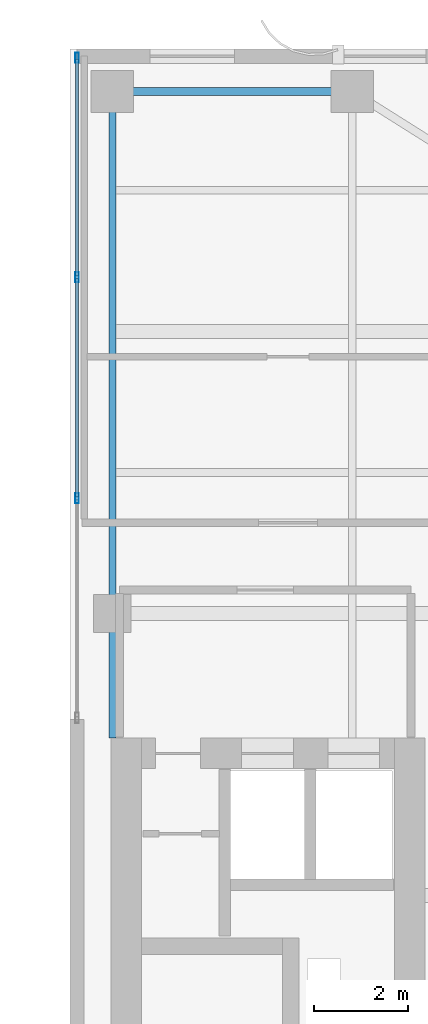
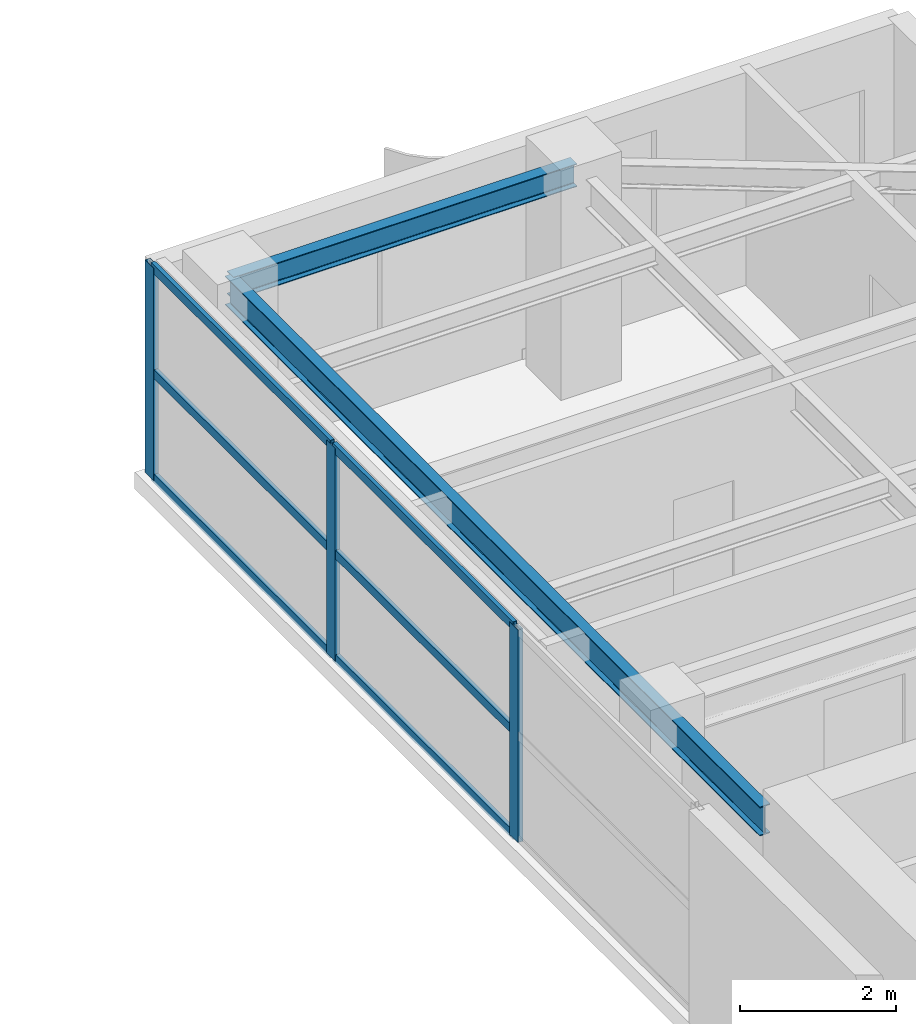
# One storey, part 14 of 22: 9 members, 2 beams, 1 element without a shape of its own.
"""IFC4 building model written with IfcOpenShell, lengths in metres."""

from ifc_helpers import new_model, si_unit, direction, frame, origin, origin_2d, place, context, subcontext, project, spatial, hollow_rectangle, i_section, extrude, source, transform, mapped, material, layer, layer_set, material_profile, profile_set, type_object, element, aggregate, save


model = new_model("IFC4")

# Units and contexts
model_context = context("Model", 3, precision=1e-05, world=origin(), true_north=direction((0.0, 1.0)))
body_context = subcontext(model_context, "Body", "Model", "MODEL_VIEW")
ifc_project = project(units=[si_unit("LENGTHUNIT", "METRE"), si_unit("AREAUNIT", "SQUARE_METRE"), si_unit("VOLUMEUNIT", "CUBIC_METRE"), si_unit("PLANEANGLEUNIT", "RADIAN"), si_unit("MASSUNIT", "GRAM", prefix="KILO")], contexts=[model_context])

# Site, building, storey
site_placement = place(None, origin())
site = spatial("IfcSite", under=ifc_project, at=site_placement, CompositionType="ELEMENT")
building_placement = place(site_placement, origin())
building = spatial("IfcBuilding", under=site, at=building_placement, Name="Khoralis Quay Care Tower", CompositionType="ELEMENT")
storey_placement = place(building_placement, frame((0.0, 0.0, 209.699951171875)))
storey = spatial("IfcBuildingStorey", under=building, at=storey_placement, Name="L55", CompositionType="ELEMENT", Elevation=209.699951171875)

# Beams
ifc_material_1 = material(Name="Steel S355", Category="steel")
ifc_material_profile_1 = material_profile(ifc_material_1, i_section(OverallWidth=0.169921875, OverallDepth=0.360107421875, WebThickness=0.008056640625, FlangeThickness=0.0126953125, FilletRadius=0.01806640625, at=origin_2d()), Name="Steel S355")
ifc_profile_set_1 = profile_set([ifc_material_profile_1], Name="Steel S355")
beam_type_1 = type_object("IfcBeamType", Name="BM-IPE360", PredefinedType="SPANDREL", material=ifc_profile_set_1)
shared_shape_1 = source(origin(), body_context, "Body", "SweptSolid", [
    extrude(i_section(OverallWidth=0.169921875, OverallDepth=0.360107421875, WebThickness=0.008056640625, FlangeThickness=0.0126953125, FilletRadius=0.01806640625, at=origin_2d()), origin(), (0.0, 0.0, 1.0), 5.10009765625),
])
beam_1_placement = place(storey_placement, frame((30.89990234375, 41.10009765625, 3.16015625), z_axis=(1.0, 0.0, 0.0), x_axis=(0.0, 1.0, 0.0)))
element("IfcBeam", 1, at=beam_1_placement, inside=storey, type_object=beam_type_1, Name="BM-TSP-L55-04", PredefinedType="SPANDREL", context=body_context, shape_type="MappedRepresentation", body=[
    mapped(shared_shape_1, transform((0.0, 0.0, 0.0), scale=1.0)),
])
ifc_material_profile_2 = material_profile(ifc_material_1, i_section(OverallWidth=0.154052734375, OverallDepth=0.458984375, WebThickness=0.009033203125, FlangeThickness=0.015380859375, FilletRadius=0.014892578125, at=origin_2d()), Name="Steel S355")
ifc_profile_set_2 = profile_set([ifc_material_profile_2], Name="Steel S355")
beam_type_2 = type_object("IfcBeamType", Name="BM-W460X68", PredefinedType="BEAM", material=ifc_profile_set_2)
shared_shape_2 = source(origin(), body_context, "Body", "SweptSolid", [
    extrude(i_section(OverallWidth=0.154052734375, OverallDepth=0.458984375, WebThickness=0.009033203125, FlangeThickness=0.015380859375, FilletRadius=0.014892578125, at=origin_2d()), origin(), (0.0, 0.0, 1.0), 13.752197265625),
])
beam_2_placement = place(storey_placement, frame((30.89990234375, 27.347900390625, 3.110595703125), z_axis=(0.0, 1.0, 0.0), x_axis=(-1.0, 0.0, 0.0)))
element("IfcBeam", 2, at=beam_2_placement, inside=storey, type_object=beam_type_2, Name="BM-TGYN-L55-309", PredefinedType="BEAM", context=body_context, shape_type="MappedRepresentation", body=[
    mapped(shared_shape_2, transform((0.0, 0.0, 0.0), scale=1.0)),
])

# Curtain wall, members
ifc_material_2 = material(Name="Pale anodised aluminium", Category="aluminium")
ifc_layer = layer(ifc_material_2, 0.18994140625)
ifc_layer_set = layer_set([ifc_layer], Name="Pale anodised aluminium")
curtain_wall_type = type_object("IfcCurtainWallType", Name="CW-SYS-PORTAL", PredefinedType="NOTDEFINED", material=ifc_layer_set)
curtain_wall_placement = place(storey_placement, origin())
curtain_wall = element("IfcCurtainWall", 3, at=curtain_wall_placement, inside=storey, type_object=curtain_wall_type, Name="L55 Unitised Curtain Wall CW-VP-L55-P2-N", PredefinedType="NOTDEFINED")
ifc_material_profile_3 = material_profile(ifc_material_2, hollow_rectangle(XDim=0.074951171875, YDim=0.219970703125, WallThickness=0.00390625, at=origin_2d()), Name="Pale anodised aluminium")
ifc_profile_set_3 = profile_set([ifc_material_profile_3], Name="Pale anodised aluminium")
member_type_1 = type_object("IfcMemberType", Name="CW-MUL-220", PredefinedType="MULLION", material=ifc_profile_set_3)
shared_shape_3 = source(origin(), body_context, "Body", "SweptSolid", [
    extrude(hollow_rectangle(XDim=0.074951171875, YDim=0.219970703125, WallThickness=0.00390625, at=origin_2d()), origin(), (0.0, 0.0, 1.0), 3.340087890625),
])
member_1_placement = place(storey_placement, frame((30.14990234375, 32.449951171875, 0.0), z_axis=(0.0, 0.0, 1.0), x_axis=(-1.0, 0.0, 0.0)))
member_1 = element("IfcMember", 4, at=member_1_placement, type_object=member_type_1, Name="CW4 mullion 2", PredefinedType="MULLION", context=body_context, shape_type="MappedRepresentation", body=[
    mapped(shared_shape_3, transform((0.0, 0.0, 0.0), scale=1.0)),
])
member_2_placement = place(storey_placement, frame((30.14990234375, 37.14990234375, 0.0), z_axis=(0.0, 0.0, 1.0), x_axis=(-1.0, 0.0, 0.0)))
member_2 = element("IfcMember", 5, at=member_2_placement, type_object=member_type_1, Name="CW4 mullion 3", PredefinedType="MULLION", context=body_context, shape_type="MappedRepresentation", body=[
    mapped(shared_shape_3, transform((0.0, 0.0, 0.0), scale=1.0)),
])
member_3_placement = place(storey_placement, frame((30.14990234375, 41.820068359375, 0.0), z_axis=(0.0, 0.0, 1.0), x_axis=(-1.0, 0.0, 0.0)))
member_3 = element("IfcMember", 6, at=member_3_placement, type_object=member_type_1, Name="CW4 mullion 4", PredefinedType="MULLION", context=body_context, shape_type="MappedRepresentation", body=[
    mapped(shared_shape_3, transform((0.0, 0.0, 0.0), scale=1.0)),
])
ifc_material_profile_4 = material_profile(ifc_material_2, hollow_rectangle(XDim=0.06005859375, YDim=0.139892578125, WallThickness=0.00390625, at=origin_2d()), Name="Pale anodised aluminium")
ifc_profile_set_4 = profile_set([ifc_material_profile_4], Name="Pale anodised aluminium")
member_type_2 = type_object("IfcMemberType", Name="CW-TRN-140", PredefinedType="USERDEFINED", material=ifc_profile_set_4)
shared_shape_4 = source(origin(), body_context, "Body", "SweptSolid", [
    extrude(hollow_rectangle(XDim=0.06005859375, YDim=0.139892578125, WallThickness=0.00390625, at=origin_2d()), origin(), (0.0, 0.0, 1.0), 4.610107421875),
])
member_4_placement = place(storey_placement, frame((30.14990234375, 37.179931640625, 0.030029296875), z_axis=(0.0, 1.0, 0.0), x_axis=(-1.0, 0.0, 0.0)))
member_4 = element("IfcMember", 7, at=member_4_placement, type_object=member_type_2, Name="CW4 transom 3.1", ObjectType="TRANSOM", PredefinedType="USERDEFINED", context=body_context, shape_type="MappedRepresentation", body=[
    mapped(shared_shape_4, transform((0.0, 0.0, 0.0), scale=1.0)),
])
member_5_placement = place(storey_placement, frame((30.14990234375, 37.179931640625, 1.670166015625), z_axis=(0.0, 1.0, 0.0), x_axis=(-1.0, 0.0, 0.0)))
member_5 = element("IfcMember", 8, at=member_5_placement, type_object=member_type_2, Name="CW4 transom 3.2", ObjectType="TRANSOM", PredefinedType="USERDEFINED", context=body_context, shape_type="MappedRepresentation", body=[
    mapped(shared_shape_4, transform((0.0, 0.0, 0.0), scale=1.0)),
])
member_6_placement = place(storey_placement, frame((30.14990234375, 37.179931640625, 3.31005859375), z_axis=(0.0, 1.0, 0.0), x_axis=(-1.0, 0.0, 0.0)))
member_6 = element("IfcMember", 9, at=member_6_placement, type_object=member_type_2, Name="CW4 transom 3.3", ObjectType="TRANSOM", PredefinedType="USERDEFINED", context=body_context, shape_type="MappedRepresentation", body=[
    mapped(shared_shape_4, transform((0.0, 0.0, 0.0), scale=1.0)),
])
shared_shape_5 = source(origin(), body_context, "Body", "SweptSolid", [
    extrude(hollow_rectangle(XDim=0.06005859375, YDim=0.139892578125, WallThickness=0.00390625, at=origin_2d()), origin(), (0.0, 0.0, 1.0), 4.64013671875),
])
member_7_placement = place(storey_placement, frame((30.14990234375, 32.47998046875, 0.030029296875), z_axis=(0.0, 1.0, 0.0), x_axis=(-1.0, 0.0, 0.0)))
member_7 = element("IfcMember", 10, at=member_7_placement, type_object=member_type_2, Name="CW4 transom 2.1", ObjectType="TRANSOM", PredefinedType="USERDEFINED", context=body_context, shape_type="MappedRepresentation", body=[
    mapped(shared_shape_5, transform((0.0, 0.0, 0.0), scale=1.0)),
])
member_8_placement = place(storey_placement, frame((30.14990234375, 32.47998046875, 1.670166015625), z_axis=(0.0, 1.0, 0.0), x_axis=(-1.0, 0.0, 0.0)))
member_8 = element("IfcMember", 11, at=member_8_placement, type_object=member_type_2, Name="CW4 transom 2.2", ObjectType="TRANSOM", PredefinedType="USERDEFINED", context=body_context, shape_type="MappedRepresentation", body=[
    mapped(shared_shape_5, transform((0.0, 0.0, 0.0), scale=1.0)),
])
member_9_placement = place(storey_placement, frame((30.14990234375, 32.47998046875, 3.31005859375), z_axis=(0.0, 1.0, 0.0), x_axis=(-1.0, 0.0, 0.0)))
member_9 = element("IfcMember", 12, at=member_9_placement, type_object=member_type_2, Name="CW4 transom 2.3", ObjectType="TRANSOM", PredefinedType="USERDEFINED", context=body_context, shape_type="MappedRepresentation", body=[
    mapped(shared_shape_5, transform((0.0, 0.0, 0.0), scale=1.0)),
])
aggregate(curtain_wall, [member_1, member_2, member_3, member_7, member_8, member_9, member_4, member_5, member_6])

save(model, "model.ifc")
